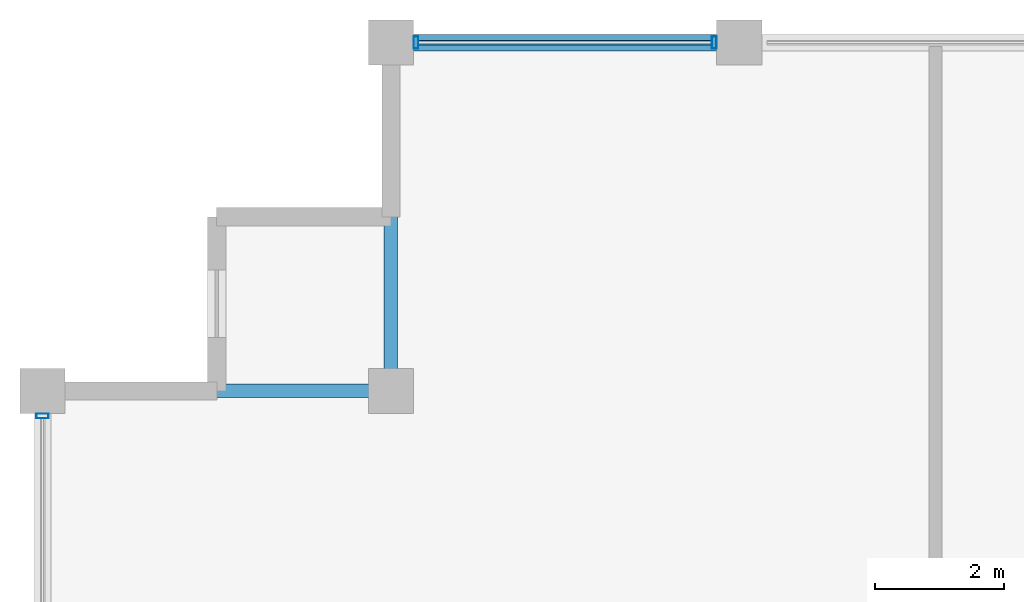
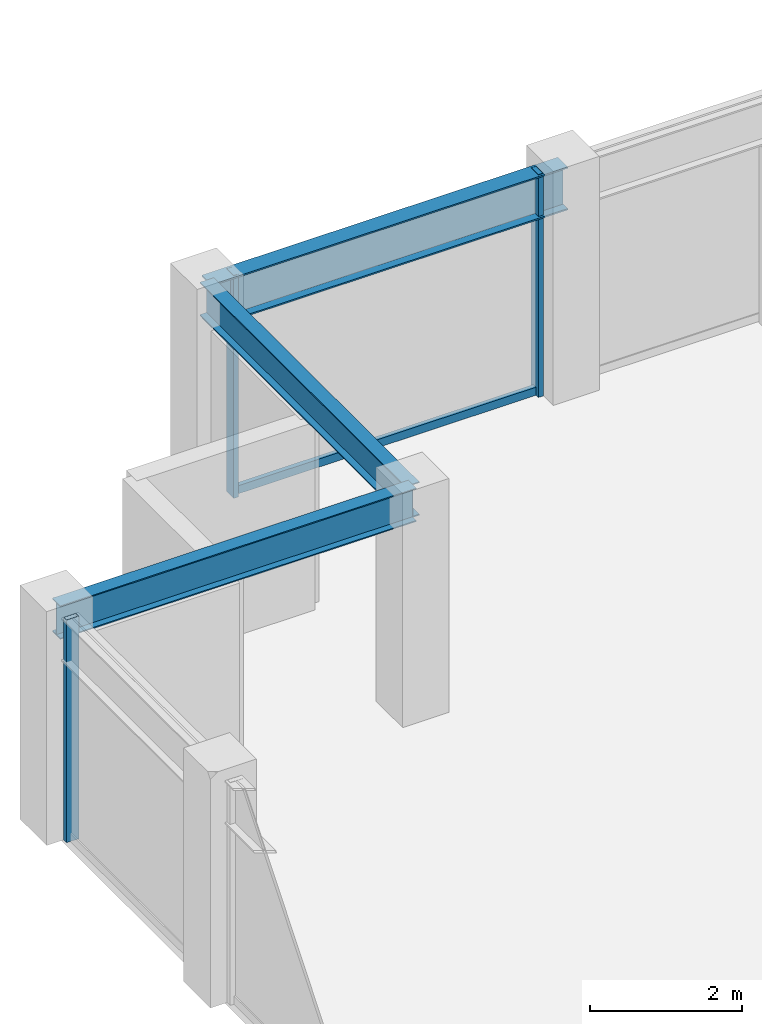
# One storey, part 16 of 31: 4 members, 3 beams, 2 elements without a shape of their own.
"""IFC4 building model written with IfcOpenShell, lengths in metres."""

from ifc_helpers import new_model, si_unit, direction, frame, origin, origin_2d, place, context, subcontext, project, spatial, hollow_rectangle, i_section, extrude, material, layer, layer_set, material_profile, profile_set, type_object, element, aggregate, save


model = new_model("IFC4")

# Units and contexts
model_context = context("Model", 3, precision=1e-05, world=origin(), true_north=direction((0.0, 1.0)))
body_context = subcontext(model_context, "Body", "Model", "MODEL_VIEW")
ifc_project = project(units=[si_unit("LENGTHUNIT", "METRE"), si_unit("AREAUNIT", "SQUARE_METRE"), si_unit("VOLUMEUNIT", "CUBIC_METRE"), si_unit("PLANEANGLEUNIT", "RADIAN"), si_unit("MASSUNIT", "GRAM", prefix="KILO")], contexts=[model_context])

# Site, building, storey
site_placement = place(None, origin())
site = spatial("IfcSite", under=ifc_project, at=site_placement, CompositionType="ELEMENT")
building_placement = place(site_placement, origin())
building = spatial("IfcBuilding", under=site, at=building_placement, Name="Surkhivell Harbour Commons", CompositionType="ELEMENT")
storey_placement = place(building_placement, frame((0.0, 0.0, 288.75)))
storey = spatial("IfcBuildingStorey", under=building, at=storey_placement, Name="L75", CompositionType="ELEMENT", Elevation=288.75)

# Beams
ifc_material_1 = material(Name="Steel S355", Category="steel")
ifc_material_profile_1 = material_profile(ifc_material_1, i_section(OverallWidth=0.2099609375, OverallDepth=0.537109375, WebThickness=0.0107421875, FlangeThickness=0.017333984375, at=origin_2d()), Name="UB533x210x101")
ifc_profile_set_1 = profile_set([ifc_material_profile_1], Name="Steel S355")
beam_type_1 = type_object("IfcBeamType", Name="BM-GRD-533B", PredefinedType="BEAM", material=ifc_profile_set_1)
for number, where, z_axis, x_axis, name in (
    (1, (-27.0, 20.5, 3.301513671875), (1.0, 0.0, 0.0), (0.0, 1.0, 0.0), "L75 Floor Girder (-27.0,20.5)"),
    (2, (-21.60009765625, 20.5, 3.301513671875), (0.0, 1.0, 0.0), (-1.0, 0.0, 0.0), "L75 Floor Girder (-21.6,20.5)"),
):
    element("IfcBeam", number, at=place(storey_placement, frame(where, z_axis=z_axis, x_axis=x_axis)), inside=storey, type_object=beam_type_1, Name=name, PredefinedType="BEAM", context=body_context, shape_type="SweptSolid", body=[
        extrude(i_section(OverallWidth=0.2099609375, OverallDepth=0.537109375, WebThickness=0.0107421875, FlangeThickness=0.017333984375, at=origin_2d()), origin(), (0.0, 0.0, 1.0), 5.39990234375),
    ])
ifc_material_profile_2 = material_profile(ifc_material_1, i_section(OverallWidth=0.256103515625, OverallDepth=0.693115234375, WebThickness=0.014404296875, FlangeThickness=0.023681640625, at=origin_2d()), Name="UB686x254x170")
ifc_profile_set_2 = profile_set([ifc_material_profile_2], Name="Steel S355")
beam_type_2 = type_object("IfcBeamType", Name="BM-SPN-686", PredefinedType="SPANDREL", material=ifc_profile_set_2)
beam_placement = place(storey_placement, frame((-21.60009765625, 25.89990234375, 3.223388671875), z_axis=(1.0, 0.0, 0.0), x_axis=(0.0, 1.0, 0.0)))
element("IfcBeam", 3, at=beam_placement, inside=storey, type_object=beam_type_2, Name="L75 Tube Spandrel (-21.6,25.9)", PredefinedType="SPANDREL", context=body_context, shape_type="SweptSolid", body=[
    extrude(i_section(OverallWidth=0.256103515625, OverallDepth=0.693115234375, WebThickness=0.014404296875, FlangeThickness=0.023681640625, at=origin_2d()), origin(), (0.0, 0.0, 1.0), 5.400146484375),
])

# Curtain wall, members
ifc_material_2 = material(Name="Anodised pale-metal aluminium and insulated glazing", Category="aluminium")
ifc_layer = layer(ifc_material_2, 0.175048828125)
ifc_layer_set = layer_set([ifc_layer], Name="Anodised pale-metal aluminium and insulated glazing")
curtain_wall_type = type_object("IfcCurtainWallType", Name="CW-SYS-Z4", PredefinedType="NOTDEFINED", material=ifc_layer_set)
curtain_wall_1_placement = place(storey_placement, origin())
curtain_wall_1 = element("IfcCurtainWall", 4, at=curtain_wall_1_placement, inside=storey, type_object=curtain_wall_type, Name="L75 Curtain Wall CW-L75-E07S2", PredefinedType="NOTDEFINED")
ifc_material_3 = material(Name="Anodised pale-metal aluminium alloy 6063-T6", Category="aluminium")
ifc_material_profile_3 = material_profile(ifc_material_3, hollow_rectangle(XDim=0.074951171875, YDim=0.18994140625, WallThickness=0.00390625, at=origin_2d()), Name="ALU-MULL-75x190")
ifc_profile_set_3 = profile_set([ifc_material_profile_3], Name="Anodised pale-metal aluminium alloy 6063-T6")
member_type_1 = type_object("IfcMemberType", Name="CWM-190", PredefinedType="MULLION", material=ifc_profile_set_3)
member_1_placement = place(storey_placement, frame((-16.589599609375, 25.89990234375, 0.0), z_axis=(0.0, 0.0, 1.0), x_axis=(-1.0, 0.0, 0.0)))
member_1 = element("IfcMember", 5, at=member_1_placement, type_object=member_type_1, Name="CW-Z4 mullion 3", PredefinedType="MULLION", context=body_context, shape_type="SweptSolid", body=[
    extrude(hollow_rectangle(XDim=0.074951171875, YDim=0.18994140625, WallThickness=0.00390625, at=origin_2d()), origin(), (0.0, 0.0, 1.0), 3.570068359375),
])
member_2_placement = place(storey_placement, frame((-21.21044921875, 25.89990234375, 0.0), z_axis=(0.0, 0.0, 1.0), x_axis=(-1.0, 0.0, 0.0)))
member_2 = element("IfcMember", 6, at=member_2_placement, type_object=member_type_1, Name="CW-Z4 mullion 4", PredefinedType="MULLION", context=body_context, shape_type="SweptSolid", body=[
    extrude(hollow_rectangle(XDim=0.074951171875, YDim=0.18994140625, WallThickness=0.00390625, at=origin_2d()), origin(), (0.0, 0.0, 1.0), 3.570068359375),
])

# Curtain wall, member
curtain_wall_2_placement = place(storey_placement, origin())
curtain_wall_2 = element("IfcCurtainWall", 7, at=curtain_wall_2_placement, inside=storey, type_object=curtain_wall_type, Name="L75 Curtain Wall CW-L75-E12S1", PredefinedType="NOTDEFINED")
member_3_placement = place(storey_placement, frame((-27.0, 20.110595703125, 0.0), z_axis=(0.0, 0.0, 1.0), x_axis=(0.0, -1.0, 0.0)))
member_3 = element("IfcMember", 8, at=member_3_placement, type_object=member_type_1, Name="CW-Z4 mullion 1", PredefinedType="MULLION", context=body_context, shape_type="SweptSolid", body=[
    extrude(hollow_rectangle(XDim=0.074951171875, YDim=0.18994140625, WallThickness=0.00390625, at=origin_2d()), origin(), (0.0, 0.0, 1.0), 3.570068359375),
])
aggregate(curtain_wall_2, [member_3])

# Member
ifc_material_4 = material(Name="Champagne anodised aluminium alloy 6063-T6", Category="aluminium")
ifc_material_profile_4 = material_profile(ifc_material_4, hollow_rectangle(XDim=0.070068359375, YDim=0.1298828125, WallThickness=0.00341796875, at=origin_2d()), Name="ALU-TRAN-70x130")
ifc_profile_set_4 = profile_set([ifc_material_profile_4], Name="Champagne anodised aluminium alloy 6063-T6")
member_type_2 = type_object("IfcMemberType", Name="CWT-130", PredefinedType="USERDEFINED", material=ifc_profile_set_4)
member_4_placement = place(storey_placement, frame((-16.626953125, 25.89990234375, 0.06494140625), z_axis=(-1.0, 0.0, 0.0), x_axis=(0.0, -1.0, 0.0)))
member_4 = element("IfcMember", 9, at=member_4_placement, type_object=member_type_2, Name="CW-Z4 transom 3.1", ObjectType="TRANSOM", PredefinedType="USERDEFINED", context=body_context, shape_type="SweptSolid", body=[
    extrude(hollow_rectangle(XDim=0.070068359375, YDim=0.1298828125, WallThickness=0.00341796875, at=origin_2d()), origin(), (0.0, 0.0, 1.0), 4.546142578125),
])

aggregate(curtain_wall_1, [member_1, member_2, member_4])

save(model, "model.ifc")
